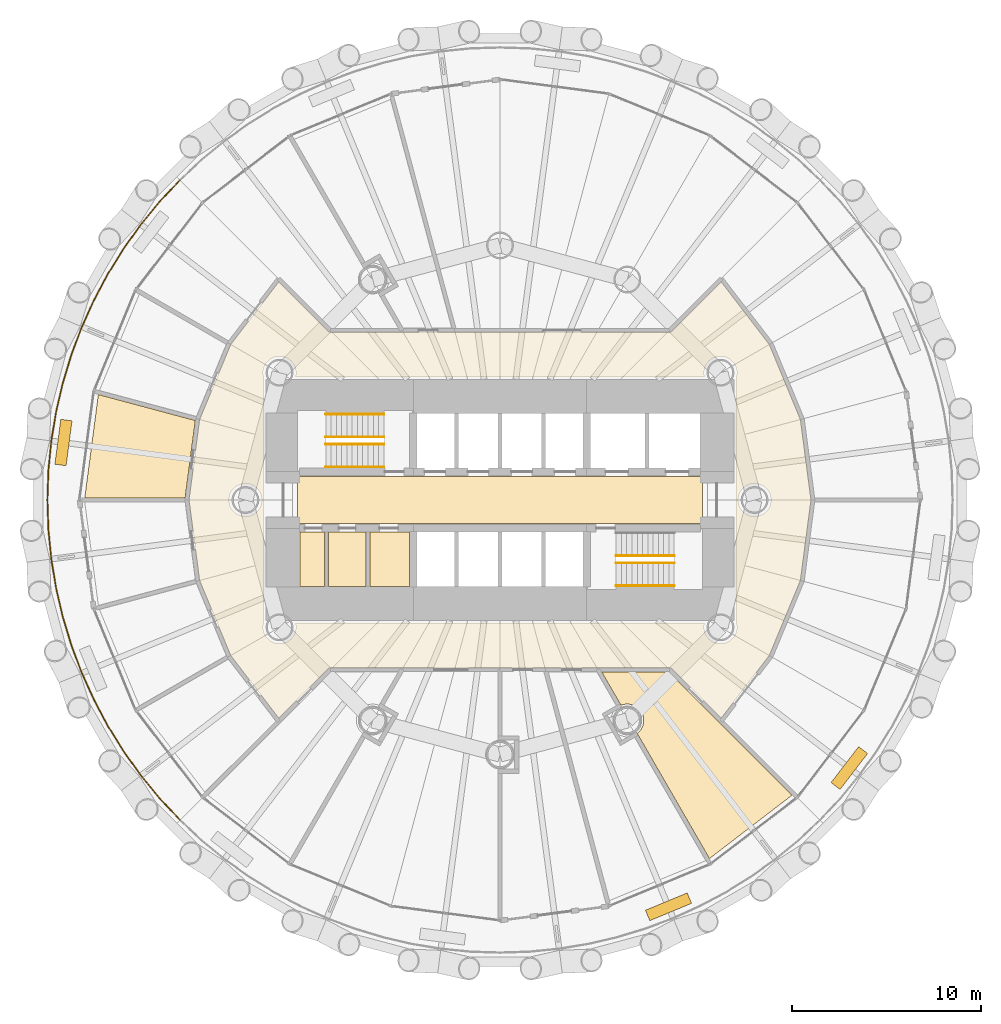
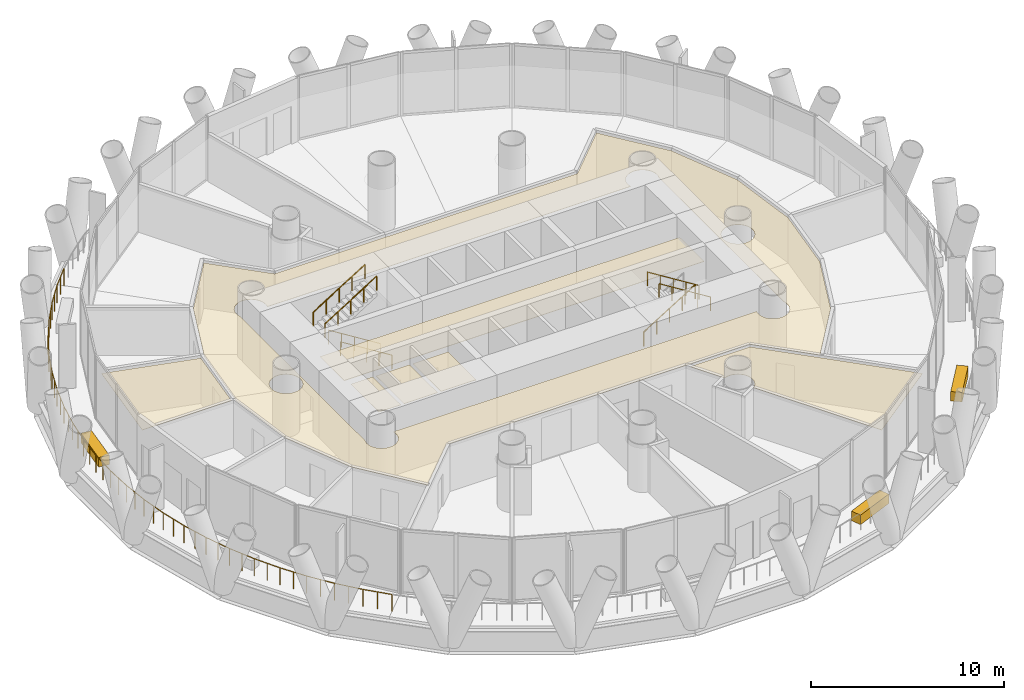
# One storey, part 13 of 15: 10 coverings, 8 railings.
"""IFC4 building model written with IfcOpenShell, lengths in metres."""

import ifcopenshell
import ifcopenshell.guid

model = None  # the IFC model being written
_history = None  # IfcOwnerHistory: only IFC2X3 demands one
_inside = {}  # id of a spatial element -> (the spatial element, [elements in it])
_under = {}  # id of a project, library or spatial element -> (it, [spatial elements below it])
_declared = {}  # id of a project -> (the project, [libraries it declares])
_typed = {}  # id of a type object -> (the type object, [elements of that type])
_made_of = {}  # id of a material, layer set ... -> (it, [elements and type objects made of it])


def new_model(schema):
    """Start an empty IFC model of exactly this schema.

    Asked for "IFC4X3", IfcOpenShell would pick the latest addendum, in which some entities
    have other attributes; the version numbers below select the first issue.
    IFC2X3 requires an IfcOwnerHistory on every rooted entity: one is made here for all.
    """
    global model, _history
    if schema == "IFC4X3":
        model = ifcopenshell.file(schema_version=(4, 3, 0, 0))
    else:
        model = ifcopenshell.file(schema=schema)
    _inside.clear()
    _under.clear()
    _declared.clear()
    _typed.clear()
    _made_of.clear()
    _history = None
    if model.schema == "IFC2X3":
        org = make("IfcOrganization", Name="unknown")
        user = make(
            "IfcPersonAndOrganization",
            ThePerson=make("IfcPerson", FamilyName="unknown"),
            TheOrganization=org,
        )
        app = make(
            "IfcApplication",
            ApplicationDeveloper=org,
            Version="unknown",
            ApplicationFullName="unknown",
            ApplicationIdentifier="unknown",
        )
        _history = make(
            "IfcOwnerHistory",
            OwningUser=user,
            OwningApplication=app,
            ChangeAction="ADDED",
            CreationDate=0,
        )
    return model


def make(cls, **values):
    """One entity of the class cls with the attributes given. An attribute that is None is left unset."""
    return model.create_entity(
        cls, **{name: value for name, value in values.items() if value is not None}
    )


def rooted(cls, **values):
    """An entity with a GlobalId (a new one), such as an element, a storey or a relation."""
    return make(cls, GlobalId=ifcopenshell.guid.new(), OwnerHistory=_history, **values)


def si_unit(unit_type, name, prefix=None):
    """IfcSIUnit, for example si_unit("LENGTHUNIT", "METRE", prefix="MILLI")."""
    return make("IfcSIUnit", UnitType=unit_type, Prefix=prefix, Name=name)


def assignment(units):
    """IfcUnitAssignment: the units of a project."""
    return None if units is None else make("IfcUnitAssignment", Units=units)


def point(xyz):
    """IfcCartesianPoint."""
    return None if xyz is None else make("IfcCartesianPoint", Coordinates=xyz)


def direction(xyz):
    """IfcDirection."""
    return None if xyz is None else make("IfcDirection", DirectionRatios=xyz)


def frame(location, z_axis=None, x_axis=None):
    """IfcAxis2Placement3D, a coordinate frame: its origin and axes. An axis left out is left unset."""
    return make(
        "IfcAxis2Placement3D",
        Location=point(location),
        Axis=direction(z_axis),
        RefDirection=direction(x_axis),
    )


def frame_2d(location, x_axis=None):
    """IfcAxis2Placement2D, a coordinate frame in the plane: its origin and x axis."""
    return make(
        "IfcAxis2Placement2D", Location=point(location), RefDirection=direction(x_axis)
    )


def origin():
    """The frame at (0, 0, 0) with its axes left unset."""
    return frame((0.0, 0.0, 0.0))


def origin_2d():
    """The frame at (0, 0) in the plane with its x axis left unset."""
    return frame_2d((0.0, 0.0))


def place(relative_to, where):
    """IfcLocalPlacement: puts the frame where relative to a parent placement (None: the world)."""
    return make(
        "IfcLocalPlacement", PlacementRelTo=relative_to, RelativePlacement=where
    )


def context(
    kind, dimensions, precision=None, world=None, true_north=None, identifier=None
):
    """IfcGeometricRepresentationContext, for example the 3D "Model" context."""
    return make(
        "IfcGeometricRepresentationContext",
        ContextIdentifier=identifier,
        ContextType=kind,
        CoordinateSpaceDimension=dimensions,
        Precision=precision,
        WorldCoordinateSystem=world,
        TrueNorth=true_north,
    )


def subcontext(parent, identifier, kind, view, scale=None):
    """IfcGeometricRepresentationSubContext, for example "Body" below "Model"."""
    return make(
        "IfcGeometricRepresentationSubContext",
        ContextIdentifier=identifier,
        ContextType=kind,
        ParentContext=parent,
        TargetScale=scale,
        TargetView=view,
    )


def project(units=None, contexts=None):
    """IfcProject with its units and contexts."""
    return rooted(
        "IfcProject",
        Name="project",
        RepresentationContexts=contexts,
        UnitsInContext=assignment(units),
    )


def spatial(cls, under=None, at=None, **own):
    """A site, building, storey or space (cls), placed at a placement, below another one or the project."""
    s = rooted(cls, ObjectPlacement=at, **own)
    if under is not None:
        _under.setdefault(under.id(), (under, []))[1].append(s)
    return s


def polyline(points):
    """IfcPolyline through the points."""
    return make("IfcPolyline", Points=[point(p) for p in points])


def profile(cls, at=None, kind="AREA", **sizes):
    """A parametric profile (cls). Its sizes go by their IFC names, for example OverallWidth=200.0."""
    return make(cls, ProfileType=kind, Position=at, **sizes)


def rectangle(**sizes):
    """IfcRectangleProfileDef."""
    return profile("IfcRectangleProfileDef", **sizes)


def circle(**sizes):
    """IfcCircleProfileDef."""
    return profile("IfcCircleProfileDef", **sizes)


def outline(outer, holes=None, kind="AREA"):
    """IfcArbitraryClosedProfileDef: a profile drawn as a closed curve; with holes, ...WithVoids."""
    if holes is None:
        return make("IfcArbitraryClosedProfileDef", ProfileType=kind, OuterCurve=outer)
    return make(
        "IfcArbitraryProfileDefWithVoids",
        ProfileType=kind,
        OuterCurve=outer,
        InnerCurves=holes,
    )


def extrude(swept, where, along, depth):
    """IfcExtrudedAreaSolid: the profile swept, set in the frame where, extruded along a direction by depth."""
    return make(
        "IfcExtrudedAreaSolid",
        SweptArea=swept,
        Position=where,
        ExtrudedDirection=direction(along),
        Depth=depth,
    )


def shape(context_of_items, identifier, shape_type, items):
    """IfcShapeRepresentation: the items that make up one representation, for example the "Body"."""
    return make(
        "IfcShapeRepresentation",
        ContextOfItems=context_of_items,
        RepresentationIdentifier=identifier,
        RepresentationType=shape_type,
        Items=items,
    )


def material(Name=None, Category=None):
    """IfcMaterial."""
    return make("IfcMaterial", Name=Name, Category=Category)


def layer(
    of_material, thickness, ventilated=None, Name=None, Category=None, Priority=None
):
    """IfcMaterialLayer: one layer of a wall or slab, of a material (None: an air gap)."""
    return make(
        "IfcMaterialLayer",
        Material=of_material,
        LayerThickness=thickness,
        IsVentilated=ventilated,
        Name=Name,
        Category=Category,
        Priority=Priority,
    )


def layer_set(layers, Name=None):
    """IfcMaterialLayerSet."""
    return make("IfcMaterialLayerSet", MaterialLayers=layers, LayerSetName=Name)


def made_of(thing, what):
    """Note that an element or type object is made of a material, layer set ...; save() writes the relation."""
    if what is not None:
        _made_of.setdefault(what.id(), (what, []))[1].append(thing)
    return thing


def type_object(cls, material=None, **own):
    """A type object (cls), such as IfcWallType, which elements share."""
    return made_of(rooted(cls, **own), material)


def element(
    cls,
    number,
    at=None,
    inside=None,
    cuts=None,
    type_object=None,
    material=None,
    context=None,
    identifier="Body",
    shape_type=None,
    held_by="IfcProductDefinitionShape",
    body=None,
    shapes=None,
    **own,
):
    """One element of the class cls, such as IfcWall. Its Tag is "e" and its number.

    at: its placement. inside: the storey or other place that contains it. cuts: it is an
    opening in that element (IfcRelVoidsElement). A single representation is given by context,
    identifier, shape_type and body (its items); several are given by shapes. held_by: the class
    of the entity that holds the representations. save() writes the other relations.
    """
    e = rooted(cls, Tag="e%d" % number, ObjectPlacement=at, **own)
    if body is not None:
        shapes = [shape(context, identifier, shape_type, body)]
    if shapes is not None:
        e.Representation = make(held_by, Representations=shapes)
    if inside is not None:
        _inside.setdefault(inside.id(), (inside, []))[1].append(e)
    if cuts is not None:
        rooted(
            "IfcRelVoidsElement", RelatingBuildingElement=cuts, RelatedOpeningElement=e
        )
    if type_object is not None:
        _typed.setdefault(type_object.id(), (type_object, []))[1].append(e)
    return made_of(e, material)


def aggregate(whole, parts):
    """IfcRelAggregates: a whole, such as a stair, and the parts it consists of."""
    return rooted("IfcRelAggregates", RelatingObject=whole, RelatedObjects=parts)


def save(model, path):
    """Write the relations noted so far, then the file.

    IfcRelAggregates (storeys below a building ...), IfcRelContainedInSpatialStructure (elements
    in a storey), IfcRelDefinesByType, IfcRelAssociatesMaterial and IfcRelDeclares: one each for
    every whole, place, type object, material and project.
    """
    for whole, parts in _under.values():
        aggregate(whole, parts)
    for where, things in _inside.values():
        rooted(
            "IfcRelContainedInSpatialStructure",
            RelatedElements=things,
            RelatingStructure=where,
        )
    for kind, things in _typed.values():
        rooted("IfcRelDefinesByType", RelatedObjects=things, RelatingType=kind)
    for what, things in _made_of.values():
        rooted("IfcRelAssociatesMaterial", RelatedObjects=things, RelatingMaterial=what)
    for by, libraries in _declared.values():
        rooted("IfcRelDeclares", RelatingContext=by, RelatedDefinitions=libraries)
    model.write(path)


model = new_model("IFC4")

# Units and contexts
model_context = context("Model", 3, precision=1e-05, world=origin(), true_north=direction((0.0, 1.0)))
body_context = subcontext(model_context, "Body", "Model", "MODEL_VIEW")
ifc_project = project(units=[si_unit("LENGTHUNIT", "METRE"), si_unit("AREAUNIT", "SQUARE_METRE"), si_unit("VOLUMEUNIT", "CUBIC_METRE"), si_unit("PLANEANGLEUNIT", "RADIAN"), si_unit("MASSUNIT", "GRAM", prefix="KILO")], contexts=[model_context])

# Site, building, storey
site_placement = place(None, origin())
site = spatial("IfcSite", under=ifc_project, at=site_placement, CompositionType="ELEMENT")
building_placement = place(site_placement, origin())
building = spatial("IfcBuilding", under=site, at=building_placement, Name="Qaws Media Tower", CompositionType="ELEMENT")
storey_placement = place(building_placement, frame((0.0, 0.0, 51.199951171875)))
storey = spatial("IfcBuildingStorey", under=building, at=storey_placement, Name="L10", CompositionType="ELEMENT", Elevation=51.199951171875)

# Railing
ifc_material_1 = material(Name="Stainless steel and glass guard", Category="steel")
railing_type_1 = type_object("IfcRailingType", Name="Balcony guard 1100", PredefinedType="GUARDRAIL", material=ifc_material_1)
railing_1_placement = place(storey_placement, frame((43.029541015625, 66.970458984375, 0.0)))
element("IfcRailing", 1, at=railing_1_placement, inside=storey, type_object=railing_type_1, Name="GR1 balcony guard L10-2", PredefinedType="GUARDRAIL", context=body_context, shape_type="SweptSolid", body=[
    extrude(circle(Radius=0.02392578125, at=origin_2d()), frame((0.0, 0.0, 1.076171875), z_axis=(-0.683646341922, -0.729813455053, 0.0), x_axis=(0.729813455053, -0.683646341922, 0.0)), (0.0, 0.0, 1.0), 1.570556640625),
    extrude(circle(Radius=0.02392578125, at=origin_2d()), frame((-1.07373046875, -1.146240234375, 1.076171875), z_axis=(-0.63444763195, -0.77296584809, 0.0), x_axis=(0.77296584809, -0.63444763195, 0.0)), (0.0, 0.0, 1.0), 1.5703125),
    extrude(circle(Radius=0.02392578125, at=origin_2d()), frame((-2.070068359375, -2.360107421875, 1.076171875), z_axis=(-0.582472724726, -0.812850247555, 0.0), x_axis=(0.812850247555, -0.582472724726, 0.0)), (0.0, 0.0, 1.0), 1.570556640625),
    extrude(circle(Radius=0.02392578125, at=origin_2d()), frame((-2.98486328125, -3.63671875, 1.076171875), z_axis=(-0.528055328802, -0.849209967984, 0.0), x_axis=(0.849209967984, -0.528055328802, 0.0)), (0.0, 0.0, 1.0), 1.570556640625),
    extrude(circle(Radius=0.02392578125, at=origin_2d()), frame((-3.814208984375, -4.970458984375, 1.076171875), z_axis=(-0.471362677406, -0.881939468642, 0.0), x_axis=(0.881939468642, -0.471362677406, 0.0)), (0.0, 0.0, 1.0), 1.5703125),
    extrude(circle(Radius=0.02392578125, at=origin_2d()), frame((-4.554443359375, -6.35546875, 1.076171875), z_axis=(-0.412690076585, -0.910871506135, 0.0), x_axis=(0.910871506135, -0.412690076585, 0.0)), (0.0, 0.0, 1.0), 1.570556640625),
    extrude(circle(Radius=0.02392578125, at=origin_2d()), frame((-5.20263671875, -7.7861328125, 1.076171875), z_axis=(-0.35228169997, -0.935894013159, 0.0), x_axis=(0.935894013159, -0.35228169997, 0.0)), (0.0, 0.0, 1.0), 1.5703125),
    extrude(circle(Radius=0.02392578125, at=origin_2d()), frame((-5.755859375, -9.255859375, 1.076171875), z_axis=(-0.290227424961, -0.956957701155, 0.0), x_axis=(0.956957701155, -0.290227424961, 0.0)), (0.0, 0.0, 1.0), 1.570556640625),
    extrude(circle(Radius=0.02392578125, at=origin_2d()), frame((-6.211669921875, -10.7587890625, 1.076171875), z_axis=(-0.227106763871, -0.973869866976, 0.0), x_axis=(0.973869866976, -0.227106763871, 0.0)), (0.0, 0.0, 1.0), 1.570556640625),
    extrude(circle(Radius=0.02392578125, at=origin_2d()), frame((-6.568359375, -12.288330078125, 1.076171875), z_axis=(-0.162911522757, -0.98664068219, 0.0), x_axis=(0.98664068219, -0.162911522757, 0.0)), (0.0, 0.0, 1.0), 1.570556640625),
    extrude(circle(Radius=0.02392578125, at=origin_2d()), frame((-6.82421875, -13.837890625, 1.076171875), z_axis=(-0.098087656745, -0.995177778889, 0.0), x_axis=(0.995177778889, -0.098087656745, 0.0)), (0.0, 0.0, 1.0), 1.570556640625),
    extrude(circle(Radius=0.02392578125, at=origin_2d()), frame((-6.978271484375, -15.40087890625, 1.076171875), z_axis=(-0.03264707697, -0.999466942107, 0.0), x_axis=(0.999466942107, -0.03264707697, 0.0)), (0.0, 0.0, 1.0), 1.5703125),
    extrude(circle(Radius=0.02392578125, at=origin_2d()), frame((-7.029541015625, -16.970458984375, 1.076171875), z_axis=(0.03264707697, -0.999466942107, 0.0), x_axis=(0.999466942107, 0.03264707697, 0.0)), (0.0, 0.0, 1.0), 1.5703125),
    extrude(circle(Radius=0.02392578125, at=origin_2d()), frame((-6.978271484375, -18.5400390625, 1.076171875), z_axis=(0.098087656745, -0.995177778889, 0.0), x_axis=(0.995177778889, 0.098087656745, 0.0)), (0.0, 0.0, 1.0), 1.570556640625),
    extrude(circle(Radius=0.02392578125, at=origin_2d()), frame((-6.82421875, -20.10302734375, 1.076171875), z_axis=(0.162911522757, -0.98664068219, 0.0), x_axis=(0.98664068219, 0.162911522757, 0.0)), (0.0, 0.0, 1.0), 1.570556640625),
    extrude(circle(Radius=0.02392578125, at=origin_2d()), frame((-6.568359375, -21.652587890625, 1.076171875), z_axis=(0.227106763871, -0.973869866976, 0.0), x_axis=(0.973869866976, 0.227106763871, 0.0)), (0.0, 0.0, 1.0), 1.570556640625),
    extrude(circle(Radius=0.02392578125, at=origin_2d()), frame((-6.211669921875, -23.18212890625, 1.076171875), z_axis=(0.290227424961, -0.956957701155, 0.0), x_axis=(0.956957701155, 0.290227424961, 0.0)), (0.0, 0.0, 1.0), 1.570556640625),
    extrude(circle(Radius=0.02392578125, at=origin_2d()), frame((-5.755859375, -24.68505859375, 1.076171875), z_axis=(0.35228169997, -0.935894013159, 0.0), x_axis=(0.935894013159, 0.35228169997, 0.0)), (0.0, 0.0, 1.0), 1.5703125),
    extrude(circle(Radius=0.02392578125, at=origin_2d()), frame((-5.20263671875, -26.15478515625, 1.076171875), z_axis=(0.412690076585, -0.910871506135, 0.0), x_axis=(0.910871506135, 0.412690076585, 0.0)), (0.0, 0.0, 1.0), 1.570556640625),
    extrude(circle(Radius=0.02392578125, at=origin_2d()), frame((-4.554443359375, -27.58544921875, 1.076171875), z_axis=(0.471362677406, -0.881939468642, 0.0), x_axis=(0.881939468642, 0.471362677406, 0.0)), (0.0, 0.0, 1.0), 1.5703125),
    extrude(circle(Radius=0.02392578125, at=origin_2d()), frame((-3.814208984375, -28.970458984375, 1.076171875), z_axis=(0.528055328802, -0.849209967984, 0.0), x_axis=(0.849209967984, 0.528055328802, 0.0)), (0.0, 0.0, 1.0), 1.570556640625),
    extrude(circle(Radius=0.02392578125, at=origin_2d()), frame((-2.98486328125, -30.30419921875, 1.076171875), z_axis=(0.582472724726, -0.812850247555, 0.0), x_axis=(0.812850247555, 0.582472724726, 0.0)), (0.0, 0.0, 1.0), 1.570556640625),
    extrude(circle(Radius=0.02392578125, at=origin_2d()), frame((-2.070068359375, -31.580810546875, 1.076171875), z_axis=(0.63444763195, -0.77296584809, 0.0), x_axis=(0.77296584809, 0.63444763195, 0.0)), (0.0, 0.0, 1.0), 1.5703125),
    extrude(circle(Radius=0.02392578125, at=origin_2d()), frame((-1.07373046875, -32.794677734375, 1.076171875), z_axis=(0.683646341922, -0.729813455053, 0.0), x_axis=(0.729813455053, 0.683646341922, 0.0)), (0.0, 0.0, 1.0), 1.570556640625),
    extrude(circle(Radius=0.02099609375, at=origin_2d()), origin(), (0.0, 0.0, 1.0), 1.052001953125),
    extrude(circle(Radius=0.02099609375, at=origin_2d()), frame((-0.536865234375, -0.5732421875, 0.0)), (0.0, 0.0, 1.0), 1.052001953125),
    extrude(circle(Radius=0.02099609375, at=origin_2d()), frame((-1.07373046875, -1.146240234375, 0.0)), (0.0, 0.0, 1.0), 1.052001953125),
    extrude(circle(Radius=0.02099609375, at=origin_2d()), frame((-1.57177734375, -1.753173828125, 0.0)), (0.0, 0.0, 1.0), 1.052001953125),
    extrude(circle(Radius=0.02099609375, at=origin_2d()), frame((-2.070068359375, -2.360107421875, 0.0)), (0.0, 0.0, 1.0), 1.052001953125),
    extrude(circle(Radius=0.02099609375, at=origin_2d()), frame((-2.52734375, -2.99853515625, 0.0)), (0.0, 0.0, 1.0), 1.052001953125),
    extrude(circle(Radius=0.02099609375, at=origin_2d()), frame((-2.98486328125, -3.63671875, 0.0)), (0.0, 0.0, 1.0), 1.052001953125),
    extrude(circle(Radius=0.02099609375, at=origin_2d()), frame((-3.3994140625, -4.3037109375, 0.0)), (0.0, 0.0, 1.0), 1.052001953125),
    extrude(circle(Radius=0.02099609375, at=origin_2d()), frame((-3.814208984375, -4.970458984375, 0.0)), (0.0, 0.0, 1.0), 1.052001953125),
    extrude(circle(Radius=0.02099609375, at=origin_2d()), frame((-4.184326171875, -5.6630859375, 0.0)), (0.0, 0.0, 1.0), 1.052001953125),
    extrude(circle(Radius=0.02099609375, at=origin_2d()), frame((-4.554443359375, -6.35546875, 0.0)), (0.0, 0.0, 1.0), 1.052001953125),
    extrude(circle(Radius=0.02099609375, at=origin_2d()), frame((-4.87841796875, -7.07080078125, 0.0)), (0.0, 0.0, 1.0), 1.052001953125),
    extrude(circle(Radius=0.02099609375, at=origin_2d()), frame((-5.20263671875, -7.7861328125, 0.0)), (0.0, 0.0, 1.0), 1.052001953125),
    extrude(circle(Radius=0.02099609375, at=origin_2d()), frame((-5.479248046875, -8.52099609375, 0.0)), (0.0, 0.0, 1.0), 1.052001953125),
    extrude(circle(Radius=0.02099609375, at=origin_2d()), frame((-5.755859375, -9.255859375, 0.0)), (0.0, 0.0, 1.0), 1.052001953125),
    extrude(circle(Radius=0.02099609375, at=origin_2d()), frame((-5.98388671875, -10.00732421875, 0.0)), (0.0, 0.0, 1.0), 1.052001953125),
    extrude(circle(Radius=0.02099609375, at=origin_2d()), frame((-6.211669921875, -10.7587890625, 0.0)), (0.0, 0.0, 1.0), 1.052001953125),
    extrude(circle(Radius=0.02099609375, at=origin_2d()), frame((-6.39013671875, -11.5234375, 0.0)), (0.0, 0.0, 1.0), 1.052001953125),
    extrude(circle(Radius=0.02099609375, at=origin_2d()), frame((-6.568359375, -12.288330078125, 0.0)), (0.0, 0.0, 1.0), 1.052001953125),
    extrude(circle(Radius=0.02099609375, at=origin_2d()), frame((-6.6962890625, -13.06298828125, 0.0)), (0.0, 0.0, 1.0), 1.052001953125),
    extrude(circle(Radius=0.02099609375, at=origin_2d()), frame((-6.82421875, -13.837890625, 0.0)), (0.0, 0.0, 1.0), 1.052001953125),
    extrude(circle(Radius=0.02099609375, at=origin_2d()), frame((-6.9013671875, -14.619384765625, 0.0)), (0.0, 0.0, 1.0), 1.052001953125),
    extrude(circle(Radius=0.02099609375, at=origin_2d()), frame((-6.978271484375, -15.40087890625, 0.0)), (0.0, 0.0, 1.0), 1.052001953125),
    extrude(circle(Radius=0.02099609375, at=origin_2d()), frame((-7.00390625, -16.185546875, 0.0)), (0.0, 0.0, 1.0), 1.052001953125),
    extrude(circle(Radius=0.02099609375, at=origin_2d()), frame((-7.029541015625, -16.970458984375, 0.0)), (0.0, 0.0, 1.0), 1.052001953125),
    extrude(circle(Radius=0.02099609375, at=origin_2d()), frame((-7.00390625, -17.75537109375, 0.0)), (0.0, 0.0, 1.0), 1.052001953125),
    extrude(circle(Radius=0.02099609375, at=origin_2d()), frame((-6.978271484375, -18.5400390625, 0.0)), (0.0, 0.0, 1.0), 1.052001953125),
    extrude(circle(Radius=0.02099609375, at=origin_2d()), frame((-6.9013671875, -19.321533203125, 0.0)), (0.0, 0.0, 1.0), 1.052001953125),
    extrude(circle(Radius=0.02099609375, at=origin_2d()), frame((-6.82421875, -20.10302734375, 0.0)), (0.0, 0.0, 1.0), 1.052001953125),
    extrude(circle(Radius=0.02099609375, at=origin_2d()), frame((-6.6962890625, -20.8779296875, 0.0)), (0.0, 0.0, 1.0), 1.052001953125),
    extrude(circle(Radius=0.02099609375, at=origin_2d()), frame((-6.568359375, -21.652587890625, 0.0)), (0.0, 0.0, 1.0), 1.052001953125),
    extrude(circle(Radius=0.02099609375, at=origin_2d()), frame((-6.39013671875, -22.41748046875, 0.0)), (0.0, 0.0, 1.0), 1.052001953125),
    extrude(circle(Radius=0.02099609375, at=origin_2d()), frame((-6.211669921875, -23.18212890625, 0.0)), (0.0, 0.0, 1.0), 1.052001953125),
    extrude(circle(Radius=0.02099609375, at=origin_2d()), frame((-5.98388671875, -23.93359375, 0.0)), (0.0, 0.0, 1.0), 1.052001953125),
    extrude(circle(Radius=0.02099609375, at=origin_2d()), frame((-5.755859375, -24.68505859375, 0.0)), (0.0, 0.0, 1.0), 1.052001953125),
    extrude(circle(Radius=0.02099609375, at=origin_2d()), frame((-5.479248046875, -25.419921875, 0.0)), (0.0, 0.0, 1.0), 1.052001953125),
    extrude(circle(Radius=0.02099609375, at=origin_2d()), frame((-5.20263671875, -26.15478515625, 0.0)), (0.0, 0.0, 1.0), 1.052001953125),
    extrude(circle(Radius=0.02099609375, at=origin_2d()), frame((-4.87841796875, -26.8701171875, 0.0)), (0.0, 0.0, 1.0), 1.052001953125),
    extrude(circle(Radius=0.02099609375, at=origin_2d()), frame((-4.554443359375, -27.58544921875, 0.0)), (0.0, 0.0, 1.0), 1.052001953125),
    extrude(circle(Radius=0.02099609375, at=origin_2d()), frame((-4.184326171875, -28.27783203125, 0.0)), (0.0, 0.0, 1.0), 1.052001953125),
    extrude(circle(Radius=0.02099609375, at=origin_2d()), frame((-3.814208984375, -28.970458984375, 0.0)), (0.0, 0.0, 1.0), 1.052001953125),
    extrude(circle(Radius=0.02099609375, at=origin_2d()), frame((-3.3994140625, -29.63720703125, 0.0)), (0.0, 0.0, 1.0), 1.052001953125),
    extrude(circle(Radius=0.02099609375, at=origin_2d()), frame((-2.98486328125, -30.30419921875, 0.0)), (0.0, 0.0, 1.0), 1.052001953125),
    extrude(circle(Radius=0.02099609375, at=origin_2d()), frame((-2.52734375, -30.9423828125, 0.0)), (0.0, 0.0, 1.0), 1.052001953125),
    extrude(circle(Radius=0.02099609375, at=origin_2d()), frame((-2.070068359375, -31.580810546875, 0.0)), (0.0, 0.0, 1.0), 1.052001953125),
    extrude(circle(Radius=0.02099609375, at=origin_2d()), frame((-1.57177734375, -32.187744140625, 0.0)), (0.0, 0.0, 1.0), 1.052001953125),
    extrude(circle(Radius=0.02099609375, at=origin_2d()), frame((-1.07373046875, -32.794677734375, 0.0)), (0.0, 0.0, 1.0), 1.052001953125),
    extrude(circle(Radius=0.02099609375, at=origin_2d()), frame((-0.536865234375, -33.36767578125, 0.0)), (0.0, 0.0, 1.0), 1.052001953125),
    extrude(circle(Radius=0.02099609375, at=origin_2d()), frame((0.0, -33.94091796875, 0.0)), (0.0, 0.0, 1.0), 1.052001953125),
])

# Coverings
ifc_material_2 = material(Name="600 x 600 mineral fibre tiles in exposed grid, suspended", Category="mineral fibre")
ifc_layer_1 = layer(ifc_material_2, 0.02001953125)
ifc_layer_set_1 = layer_set([ifc_layer_1], Name="Mineral fibre tile ceiling 20")
covering_type_1 = type_object("IfcCoveringType", Name="Mineral fibre tile ceiling 20", PredefinedType="CEILING", material=ifc_layer_set_1)
covering_1_placement = place(storey_placement, frame((0.0, 0.0, 2.85009765625)))
element("IfcCovering", 2, at=covering_1_placement, inside=storey, type_object=covering_type_1, Name="CL1 ceiling L10-01 Corridor", PredefinedType="CEILING", context=body_context, shape_type="SweptSolid", body=[
    extrude(outline(polyline([(44.0751953125, 45.73291015625), (43.513427734375, 50.0), (44.0751953125, 54.26708984375), (45.72216796875, 58.243408203125), (48.273193359375, 61.567626953125), (50.953369140625, 58.887451171875), (69.046630859375, 58.887451171875), (71.726806640625, 61.567626953125), (74.27783203125, 58.243408203125), (75.9248046875, 54.26708984375), (76.486572265625, 50.0), (75.9248046875, 45.73291015625), (74.27783203125, 41.756591796875), (71.726806640625, 38.432373046875), (69.046630859375, 41.112548828125), (50.953369140625, 41.112548828125), (48.273193359375, 38.432373046875), (45.72216796875, 41.756591796875), (44.0751953125, 45.73291015625)]), holes=[polyline([(49.14599609375, 56.512451171875), (49.14990234375, 56.524658203125), (49.172119140625, 56.63623046875), (49.1796875, 56.75), (49.172119140625, 56.86376953125), (49.14990234375, 56.975341796875), (49.11328125, 57.083251953125), (49.06298828125, 57.185546875), (48.999755859375, 57.2802734375), (48.924560546875, 57.365966796875), (48.8388671875, 57.44091796875), (48.744140625, 57.50439453125), (48.64208984375, 57.5546875), (48.5341796875, 57.59130859375), (48.42236328125, 57.613525390625), (48.30859375, 57.62109375), (48.195068359375, 57.613525390625), (48.083251953125, 57.59130859375), (47.975341796875, 57.5546875), (47.873291015625, 57.50439453125), (47.7783203125, 57.44091796875), (47.69287109375, 57.365966796875), (47.61767578125, 57.2802734375), (47.55419921875, 57.185546875), (47.50390625, 57.083251953125), (47.46728515625, 56.975341796875), (47.445068359375, 56.86376953125), (47.437744140625, 56.75), (47.445068359375, 56.63623046875), (47.46728515625, 56.524658203125), (47.487548828125, 56.465087890625), (47.487548828125, 43.534912109375), (47.46728515625, 43.475341796875), (47.445068359375, 43.36376953125), (47.437744140625, 43.25), (47.445068359375, 43.13623046875), (47.46728515625, 43.024658203125), (47.50390625, 42.916748046875), (47.55419921875, 42.814453125), (47.61767578125, 42.7197265625), (47.69287109375, 42.634033203125), (47.7783203125, 42.55908203125), (47.873291015625, 42.49560546875), (47.975341796875, 42.4453125), (48.083251953125, 42.40869140625), (48.195068359375, 42.386474609375), (48.30859375, 42.37890625), (48.42236328125, 42.386474609375), (48.5341796875, 42.40869140625), (48.64208984375, 42.4453125), (48.744140625, 42.49560546875), (48.8388671875, 42.55908203125), (48.924560546875, 42.634033203125), (48.999755859375, 42.7197265625), (49.06298828125, 42.814453125), (49.11328125, 42.916748046875), (49.14990234375, 43.024658203125), (49.172119140625, 43.13623046875), (49.1796875, 43.25), (49.172119140625, 43.36376953125), (49.14990234375, 43.475341796875), (49.14599609375, 43.487548828125), (70.85400390625, 43.487548828125), (70.85009765625, 43.475341796875), (70.827880859375, 43.36376953125), (70.8203125, 43.25), (70.827880859375, 43.13623046875), (70.85009765625, 43.024658203125), (70.88671875, 42.916748046875), (70.93701171875, 42.814453125), (71.000244140625, 42.7197265625), (71.075439453125, 42.634033203125), (71.1611328125, 42.55908203125), (71.255859375, 42.49560546875), (71.35791015625, 42.4453125), (71.4658203125, 42.40869140625), (71.57763671875, 42.386474609375), (71.69140625, 42.37890625), (71.804931640625, 42.386474609375), (71.916748046875, 42.40869140625), (72.024658203125, 42.4453125), (72.126708984375, 42.49560546875), (72.2216796875, 42.55908203125), (72.30712890625, 42.634033203125), (72.38232421875, 42.7197265625), (72.44580078125, 42.814453125), (72.49609375, 42.916748046875), (72.53271484375, 43.024658203125), (72.554931640625, 43.13623046875), (72.562255859375, 43.25), (72.554931640625, 43.36376953125), (72.53271484375, 43.475341796875), (72.512451171875, 43.534912109375), (72.512451171875, 56.465087890625), (72.53271484375, 56.524658203125), (72.554931640625, 56.63623046875), (72.562255859375, 56.75), (72.554931640625, 56.86376953125), (72.53271484375, 56.975341796875), (72.49609375, 57.083251953125), (72.44580078125, 57.185546875), (72.38232421875, 57.2802734375), (72.30712890625, 57.365966796875), (72.2216796875, 57.44091796875), (72.126708984375, 57.50439453125), (72.024658203125, 57.5546875), (71.916748046875, 57.59130859375), (71.804931640625, 57.613525390625), (71.69140625, 57.62109375), (71.57763671875, 57.613525390625), (71.4658203125, 57.59130859375), (71.35791015625, 57.5546875), (71.255859375, 57.50439453125), (71.1611328125, 57.44091796875), (71.075439453125, 57.365966796875), (71.000244140625, 57.2802734375), (70.93701171875, 57.185546875), (70.88671875, 57.083251953125), (70.85009765625, 56.975341796875), (70.827880859375, 56.86376953125), (70.8203125, 56.75), (70.827880859375, 56.63623046875), (70.85009765625, 56.524658203125), (70.85400390625, 56.512451171875), (49.14599609375, 56.512451171875)]), polyline([(47.3046875, 49.666748046875), (47.34130859375, 49.774658203125), (47.363525390625, 49.88623046875), (47.37109375, 50.0), (47.363525390625, 50.11376953125), (47.34130859375, 50.225341796875), (47.3046875, 50.333251953125), (47.25439453125, 50.435546875), (47.19091796875, 50.5302734375), (47.115966796875, 50.615966796875), (47.0302734375, 50.69091796875), (46.935546875, 50.75439453125), (46.833251953125, 50.8046875), (46.725341796875, 50.84130859375), (46.61376953125, 50.863525390625), (46.5, 50.87109375), (46.38623046875, 50.863525390625), (46.274658203125, 50.84130859375), (46.166748046875, 50.8046875), (46.064453125, 50.75439453125), (45.9697265625, 50.69091796875), (45.884033203125, 50.615966796875), (45.80908203125, 50.5302734375), (45.74560546875, 50.435546875), (45.6953125, 50.333251953125), (45.65869140625, 50.225341796875), (45.636474609375, 50.11376953125), (45.62890625, 50.0), (45.636474609375, 49.88623046875), (45.65869140625, 49.774658203125), (45.6953125, 49.666748046875), (45.74560546875, 49.564453125), (45.80908203125, 49.4697265625), (45.884033203125, 49.384033203125), (45.9697265625, 49.30908203125), (46.064453125, 49.24560546875), (46.166748046875, 49.1953125), (46.274658203125, 49.15869140625), (46.38623046875, 49.136474609375), (46.5, 49.12890625), (46.61376953125, 49.136474609375), (46.725341796875, 49.15869140625), (46.833251953125, 49.1953125), (46.935546875, 49.24560546875), (47.0302734375, 49.30908203125), (47.115966796875, 49.384033203125), (47.19091796875, 49.4697265625), (47.25439453125, 49.564453125), (47.3046875, 49.666748046875)]), polyline([(74.34130859375, 49.774658203125), (74.363525390625, 49.88623046875), (74.37109375, 50.0), (74.363525390625, 50.11376953125), (74.34130859375, 50.225341796875), (74.3046875, 50.333251953125), (74.25439453125, 50.435546875), (74.19091796875, 50.5302734375), (74.115966796875, 50.615966796875), (74.0302734375, 50.69091796875), (73.935546875, 50.75439453125), (73.833251953125, 50.8046875), (73.725341796875, 50.84130859375), (73.61376953125, 50.863525390625), (73.5, 50.87109375), (73.38623046875, 50.863525390625), (73.274658203125, 50.84130859375), (73.166748046875, 50.8046875), (73.064453125, 50.75439453125), (72.9697265625, 50.69091796875), (72.884033203125, 50.615966796875), (72.80908203125, 50.5302734375), (72.74560546875, 50.435546875), (72.6953125, 50.333251953125), (72.65869140625, 50.225341796875), (72.636474609375, 50.11376953125), (72.62890625, 50.0), (72.636474609375, 49.88623046875), (72.65869140625, 49.774658203125), (72.6953125, 49.666748046875), (72.74560546875, 49.564453125), (72.80908203125, 49.4697265625), (72.884033203125, 49.384033203125), (72.9697265625, 49.30908203125), (73.064453125, 49.24560546875), (73.166748046875, 49.1953125), (73.274658203125, 49.15869140625), (73.38623046875, 49.136474609375), (73.5, 49.12890625), (73.61376953125, 49.136474609375), (73.725341796875, 49.15869140625), (73.833251953125, 49.1953125), (73.935546875, 49.24560546875), (74.0302734375, 49.30908203125), (74.115966796875, 49.384033203125), (74.19091796875, 49.4697265625), (74.25439453125, 49.564453125), (74.3046875, 49.666748046875), (74.34130859375, 49.774658203125)])]), origin(), (0.0, 0.0, 1.0), 0.02001953125),
])
covering_2_placement = place(storey_placement, frame((0.0, 0.0, 2.85009765625)))
element("IfcCovering", 3, at=covering_2_placement, inside=storey, type_object=covering_type_1, Name="CL1 ceiling L10-06 Edit room", PredefinedType="CEILING", context=body_context, shape_type="SweptSolid", body=[
    extrude(outline(polyline([(38.70068359375, 55.590576171875), (43.84130859375, 54.21337890625), (43.30126953125, 50.112548828125), (37.9794921875, 50.112548828125), (38.70068359375, 55.590576171875)])), origin(), (0.0, 0.0, 1.0), 0.02001953125),
])
covering_3_placement = place(storey_placement, frame((0.0, 0.0, 2.85009765625)))
element("IfcCovering", 4, at=covering_3_placement, inside=storey, type_object=covering_type_1, Name="CL1 ceiling L10-14 Ladies toilets", PredefinedType="CEILING", context=body_context, shape_type="SweptSolid", body=[
    extrude(outline(polyline([(71.107666015625, 30.986083984375), (67.279296875, 37.616943359375), (67.365966796875, 37.69287109375), (67.44091796875, 37.7783203125), (67.50439453125, 37.873291015625), (67.5546875, 37.975341796875), (67.59130859375, 38.083251953125), (67.613525390625, 38.195068359375), (67.62109375, 38.30859375), (67.613525390625, 38.42236328125), (67.59130859375, 38.5341796875), (67.5546875, 38.64208984375), (67.50439453125, 38.744140625), (67.44091796875, 38.8388671875), (67.365966796875, 38.924560546875), (67.2802734375, 38.999755859375), (67.185546875, 39.06298828125), (67.083251953125, 39.11328125), (66.975341796875, 39.14990234375), (66.86376953125, 39.172119140625), (66.75, 39.1796875), (66.63623046875, 39.172119140625), (66.524658203125, 39.14990234375), (66.41552734375, 39.11279296875), (65.39111328125, 40.887451171875), (68.953369140625, 40.887451171875), (75.4912109375, 34.349609375), (71.107666015625, 30.986083984375)])), origin(), (0.0, 0.0, 1.0), 0.02001953125),
])
covering_4_placement = place(storey_placement, frame((0.0, 0.0, 2.85009765625)))
element("IfcCovering", 5, at=covering_4_placement, inside=storey, type_object=covering_type_1, Name="CL1 ceiling L10-C04 Cleaner's room", PredefinedType="CEILING", context=body_context, shape_type="SweptSolid", body=[
    extrude(outline(polyline([(49.39990234375, 45.39990234375), (49.39990234375, 48.300048828125), (50.699951171875, 48.300048828125), (50.699951171875, 45.39990234375), (49.39990234375, 45.39990234375)])), origin(), (0.0, 0.0, 1.0), 0.02001953125),
])
covering_5_placement = place(storey_placement, frame((0.0, 0.0, 2.85009765625)))
element("IfcCovering", 6, at=covering_5_placement, inside=storey, type_object=covering_type_1, Name="CL1 ceiling L10-C05 First aid room", PredefinedType="CEILING", context=body_context, shape_type="SweptSolid", body=[
    extrude(outline(polyline([(50.89990234375, 45.39990234375), (50.89990234375, 48.300048828125), (52.89990234375, 48.300048828125), (52.89990234375, 45.39990234375), (50.89990234375, 45.39990234375)])), origin(), (0.0, 0.0, 1.0), 0.02001953125),
])
ifc_material_3 = material(Name="Precast concrete planter with trailing planting", Category="concrete")
ifc_layer_2 = layer(ifc_material_3, 0.60009765625)
ifc_layer_set_2 = layer_set([ifc_layer_2], Name="Planter 2400x600")
covering_type_2 = type_object("IfcCoveringType", Name="Planter 2400x600", PredefinedType="USERDEFINED", material=ifc_layer_set_2)
for number, where, z_axis, x_axis, name in (
    (7, (36.849853515625, 53.0478515625, 0.0), (0.0, 0.0, 1.0), (-0.13052619222, -0.991444861374, 0.0), "PL1 balcony planter L10-06"),
    (8, (68.935546875, 28.427490234375, 0.0), (0.0, 0.0, 1.0), (0.923879532511, 0.382683432365, 0.0), "PL1 balcony planter L10-10"),
    (9, (78.52490234375, 35.785400390625, 0.0), (0.0, 0.0, 1.0), (0.608761429009, 0.793353340291, 0.0), "PL1 balcony planter L10-11"),
):
    element("IfcCovering", number, at=place(storey_placement, frame(where, z_axis=z_axis, x_axis=x_axis)), inside=storey, type_object=covering_type_2, Name=name, ObjectType="PLANTER", PredefinedType="USERDEFINED", context=body_context, shape_type="SweptSolid", body=[
        extrude(rectangle(XDim=2.39990234375, YDim=0.60009765625, at=origin_2d()), origin(), (0.0, 0.0, 1.0), 0.60009765625),
    ])
ifc_material_4 = material(Name="Two layers 12.5 moisture-resistant plasterboard on suspended metal furring", Category="gypsum")
ifc_layer_3 = layer(ifc_material_4, 0.02490234375)
ifc_layer_set_3 = layer_set([ifc_layer_3], Name="Plasterboard ceiling 25")
covering_type_3 = type_object("IfcCoveringType", Name="Plasterboard ceiling 25", PredefinedType="CEILING", material=ifc_layer_set_3)
covering_6_placement = place(storey_placement, frame((0.0, 0.0, 2.85009765625)))
element("IfcCovering", 10, at=covering_6_placement, inside=storey, type_object=covering_type_3, Name="CL2 ceiling L10-C01 Lift lobby", PredefinedType="CEILING", context=body_context, shape_type="SweptSolid", body=[
    extrude(outline(polyline([(49.25, 48.75), (49.25, 51.25), (70.75, 51.25), (70.75, 48.75), (49.25, 48.75)])), origin(), (0.0, 0.0, 1.0), 0.02490234375),
])
covering_7_placement = place(storey_placement, frame((0.0, 0.0, 2.85009765625)))
element("IfcCovering", 11, at=covering_7_placement, inside=storey, type_object=covering_type_3, Name="CL2 ceiling L10-C06 Accessible WC", PredefinedType="CEILING", context=body_context, shape_type="SweptSolid", body=[
    extrude(outline(polyline([(53.10009765625, 45.39990234375), (53.10009765625, 48.300048828125), (55.199951171875, 48.300048828125), (55.199951171875, 45.39990234375), (53.10009765625, 45.39990234375)])), origin(), (0.0, 0.0, 1.0), 0.02490234375),
])

# Railings
ifc_material_5 = material(Name="Steel tube handrail", Category="steel")
railing_type_2 = type_object("IfcRailingType", Name="Stair handrail 900", PredefinedType="HANDRAIL", material=ifc_material_5)
for number, where, name in (
    (12, (53.840087890625, 51.75, 0.175048828125), "HR1 handrail S1 flight 1 L10"),
    (13, (53.840087890625, 52.9599609375, 0.175048828125), "HR1 handrail S1 flight 1 L10"),
):
    element("IfcRailing", number, at=place(storey_placement, frame(where)), inside=storey, type_object=railing_type_2, Name=name, PredefinedType="HANDRAIL", context=body_context, shape_type="SweptSolid", body=[
        extrude(circle(Radius=0.02392578125, at=origin_2d()), frame((0.0, 0.0, 0.8759765625), z_axis=(-0.847998304005, 0.0, 0.529998940003), x_axis=(0.0, -1.0, 0.0)), (0.0, 0.0, 1.0), 3.632080078125),
        extrude(circle(Radius=0.02099609375, at=origin_2d()), origin(), (0.0, 0.0, 1.0), 0.851806640625),
        extrude(circle(Radius=0.02099609375, at=origin_2d()), frame((-0.77001953125, 0.0, 0.481201171875)), (0.0, 0.0, 1.0), 0.851806640625),
        extrude(circle(Radius=0.02099609375, at=origin_2d()), frame((-1.5400390625, 0.0, 0.96240234375)), (0.0, 0.0, 1.0), 0.851806640625),
        extrude(circle(Radius=0.02099609375, at=origin_2d()), frame((-2.31005859375, 0.0, 1.44384765625)), (0.0, 0.0, 1.0), 0.851806640625),
        extrude(circle(Radius=0.02099609375, at=origin_2d()), frame((-3.080078125, 0.0, 1.925048828125)), (0.0, 0.0, 1.0), 0.851806640625),
    ])
for number, where, name in (
    (14, (50.760009765625, 54.550048828125, 2.275146484375), "HR1 handrail S1 flight 2 L10"),
    (15, (50.760009765625, 53.340087890625, 2.275146484375), "HR1 handrail S1 flight 2 L10"),
):
    element("IfcRailing", number, at=place(storey_placement, frame(where)), inside=storey, type_object=railing_type_2, Name=name, PredefinedType="HANDRAIL", context=body_context, shape_type="SweptSolid", body=[
        extrude(circle(Radius=0.02392578125, at=origin_2d()), frame((0.0, 0.0, 0.8759765625), z_axis=(0.848028513186, 0.0, 0.529950602248), x_axis=(0.0, 1.0, 0.0)), (0.0, 0.0, 1.0), 3.632080078125),
        extrude(circle(Radius=0.02099609375, at=origin_2d()), origin(), (0.0, 0.0, 1.0), 0.851806640625),
        extrude(circle(Radius=0.02099609375, at=origin_2d()), frame((0.77001953125, 0.0, 0.481201171875)), (0.0, 0.0, 1.0), 0.851806640625),
        extrude(circle(Radius=0.02099609375, at=origin_2d()), frame((1.5400390625, 0.0, 0.96240234375)), (0.0, 0.0, 1.0), 0.851806640625),
        extrude(circle(Radius=0.02099609375, at=origin_2d()), frame((2.31005859375, 0.0, 1.443603515625)), (0.0, 0.0, 1.0), 0.851806640625),
        extrude(circle(Radius=0.02099609375, at=origin_2d()), frame((3.080078125, 0.0, 1.9248046875)), (0.0, 0.0, 1.0), 0.851806640625),
    ])
railing_2_placement = place(storey_placement, frame((66.159912109375, 47.0400390625, 0.175048828125)))
element("IfcRailing", 16, at=railing_2_placement, inside=storey, type_object=railing_type_2, Name="HR1 handrail S2 flight 1 L10", PredefinedType="HANDRAIL", context=body_context, shape_type="SweptSolid", body=[
    extrude(circle(Radius=0.02392578125, at=origin_2d()), frame((0.0, 0.0, 0.8759765625), z_axis=(0.847998304005, 0.0, 0.529998940003), x_axis=(0.0, 1.0, 0.0)), (0.0, 0.0, 1.0), 3.632080078125),
    extrude(circle(Radius=0.02099609375, at=origin_2d()), origin(), (0.0, 0.0, 1.0), 0.851806640625),
    extrude(circle(Radius=0.02099609375, at=origin_2d()), frame((0.77001953125, 0.0, 0.481201171875)), (0.0, 0.0, 1.0), 0.851806640625),
    extrude(circle(Radius=0.02099609375, at=origin_2d()), frame((1.5400390625, 0.0, 0.96240234375)), (0.0, 0.0, 1.0), 0.851806640625),
    extrude(circle(Radius=0.02099609375, at=origin_2d()), frame((2.31005859375, 0.0, 1.44384765625)), (0.0, 0.0, 1.0), 0.851806640625),
    extrude(circle(Radius=0.02099609375, at=origin_2d()), frame((3.080078125, 0.0, 1.925048828125)), (0.0, 0.0, 1.0), 0.851806640625),
])
for number, where, name in (
    (17, (69.239990234375, 45.449951171875, 2.275146484375), "HR1 handrail S2 flight 2 L10"),
    (18, (69.239990234375, 46.659912109375, 2.275146484375), "HR1 handrail S2 flight 2 L10"),
):
    element("IfcRailing", number, at=place(storey_placement, frame(where)), inside=storey, type_object=railing_type_2, Name=name, PredefinedType="HANDRAIL", context=body_context, shape_type="SweptSolid", body=[
        extrude(circle(Radius=0.02392578125, at=origin_2d()), frame((0.0, 0.0, 0.8759765625), z_axis=(-0.848028513186, 0.0, 0.529950602248), x_axis=(0.0, -1.0, 0.0)), (0.0, 0.0, 1.0), 3.632080078125),
        extrude(circle(Radius=0.02099609375, at=origin_2d()), origin(), (0.0, 0.0, 1.0), 0.851806640625),
        extrude(circle(Radius=0.02099609375, at=origin_2d()), frame((-0.77001953125, 0.0, 0.481201171875)), (0.0, 0.0, 1.0), 0.851806640625),
        extrude(circle(Radius=0.02099609375, at=origin_2d()), frame((-1.5400390625, 0.0, 0.96240234375)), (0.0, 0.0, 1.0), 0.851806640625),
        extrude(circle(Radius=0.02099609375, at=origin_2d()), frame((-2.31005859375, 0.0, 1.443603515625)), (0.0, 0.0, 1.0), 0.851806640625),
        extrude(circle(Radius=0.02099609375, at=origin_2d()), frame((-3.080078125, 0.0, 1.9248046875)), (0.0, 0.0, 1.0), 0.851806640625),
    ])

save(model, "model.ifc")
